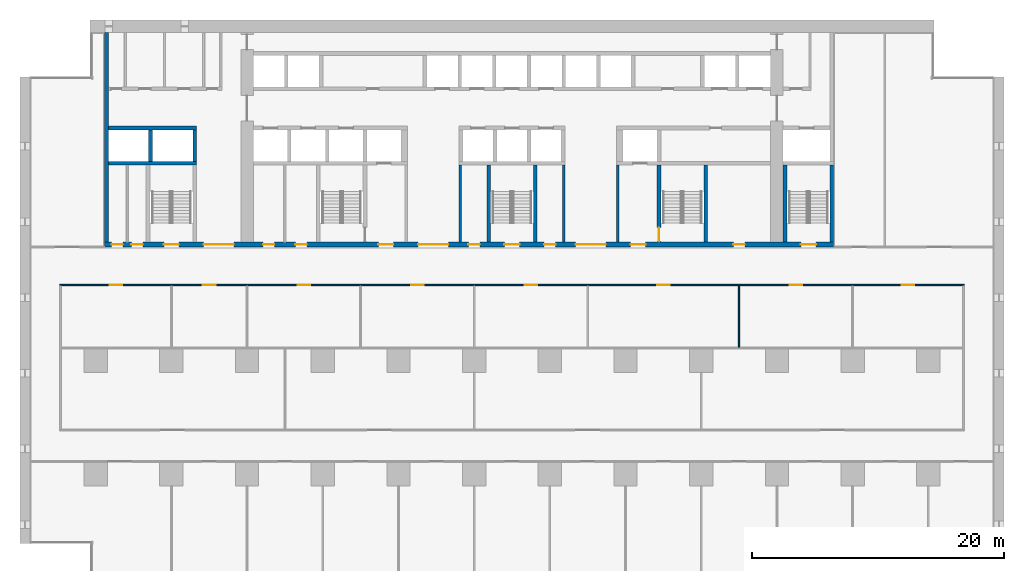
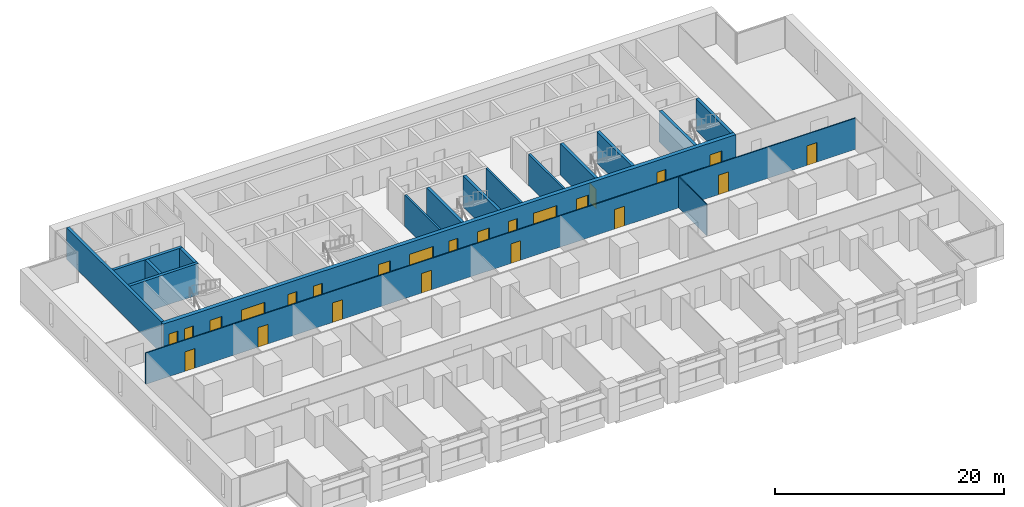
# One storey, part 10 of 18: 24 doors, 17 walls, 24 openings.
"""IFC4 building model written with IfcOpenShell, lengths in metres."""

from ifc_helpers import new_model, si_unit, direction, frame, frame_2d, origin, place, context, subcontext, project, spatial, rectangle, extrude, material, layer, layer_set, type_object, element, fill, save


model = new_model("IFC4")

# Units and contexts
model_context = context("Model", 3, precision=1e-05, world=origin(), true_north=direction((0.0, 1.0)))
body_context = subcontext(model_context, "Body", "Model", "MODEL_VIEW")
ifc_project = project(units=[si_unit("LENGTHUNIT", "METRE"), si_unit("AREAUNIT", "SQUARE_METRE"), si_unit("VOLUMEUNIT", "CUBIC_METRE"), si_unit("PLANEANGLEUNIT", "RADIAN"), si_unit("MASSUNIT", "GRAM", prefix="KILO")], contexts=[model_context])

# Site, building, storey
site_placement = place(None, origin())
site = spatial("IfcSite", under=ifc_project, at=site_placement, CompositionType="ELEMENT")
building_placement = place(site_placement, origin())
building = spatial("IfcBuilding", under=site, at=building_placement, Name="Calvaro Tower", CompositionType="ELEMENT")
storey_placement = place(building_placement, frame((0.0, 0.0, 26.25)))
storey = spatial("IfcBuildingStorey", under=building, at=storey_placement, Name="L05", CompositionType="ELEMENT", Elevation=26.25)

# Walls
ifc_material_1 = material(Name="Blockwork partition", Category="masonry")
ifc_layer_1 = layer(ifc_material_1, 0.199951171875)
ifc_layer_set_1 = layer_set([ifc_layer_1], Name="Blockwork partition")
wall_type_1 = type_object("IfcWallType", Name="Core partition 200 REI 120", PredefinedType="PARTITIONING", material=ifc_layer_set_1)
for number, where, z_axis, x_axis, name in (
    (1, (34.89990234375, 28.39990234375, 0.0), (0.0, 0.0, 1.0), (0.0, 1.0, 0.0), "Core partition"),
    (2, (43.10009765625, 28.39990234375, 0.0), (0.0, 0.0, 1.0), (0.0, 1.0, 0.0), "Core partition"),
    (3, (47.39990234375, 28.39990234375, 0.0), (0.0, 0.0, 1.0), (0.0, 1.0, 0.0), "Core partition"),
):
    element("IfcWall", number, at=place(storey_placement, frame(where, z_axis=z_axis, x_axis=x_axis)), inside=storey, type_object=wall_type_1, Name=name, PredefinedType="PARTITIONING", context=body_context, shape_type="SweptSolid", body=[
        extrude(rectangle(XDim=6.10009765625, YDim=0.199951171875, at=frame_2d((3.050048828125, 0.0))), origin(), (0.0, 0.0, 1.0), 3.35009765625),
    ])
ifc_material_2 = material(Name="Concrete C80/95", Category="concrete")
ifc_layer_2 = layer(ifc_material_2, 0.300048828125)
ifc_layer_set_2 = layer_set([ifc_layer_2], Name="Concrete C80/95")
wall_type_2 = type_object("IfcWallType", Name="Core wall C80/95 300", PredefinedType="SHEAR", material=ifc_layer_set_2)
wall_1_placement = place(storey_placement, frame((6.85009765625, 28.39990234375, 0.0), z_axis=(0.0, 0.0, 1.0), x_axis=(0.0, 1.0, 0.0)))
element("IfcWall", 4, at=wall_1_placement, inside=storey, type_object=wall_type_2, Name="Core wall, boundary", PredefinedType="SHEAR", context=body_context, shape_type="SweptSolid", body=[
    extrude(rectangle(XDim=16.60009765625, YDim=0.300048828125, at=frame_2d((8.300048828125, 0.0))), origin(), (0.0, 0.0, 1.0), 3.35009765625),
])
for number, where, z_axis, x_axis, name in (
    (5, (37.14990234375, 28.39990234375, 0.0), (0.0, 0.0, 1.0), (0.0, 1.0, 0.0), "Core wall, stair enclosure"),
    (6, (40.85009765625, 28.39990234375, 0.0), (0.0, 0.0, 1.0), (0.0, 1.0, 0.0), "Core wall, stair enclosure"),
):
    element("IfcWall", number, at=place(storey_placement, frame(where, z_axis=z_axis, x_axis=x_axis)), inside=storey, type_object=wall_type_2, Name=name, PredefinedType="SHEAR", context=body_context, shape_type="SweptSolid", body=[
        extrude(rectangle(XDim=6.10009765625, YDim=0.300048828125, at=frame_2d((3.050048828125, 0.0))), origin(), (0.0, 0.0, 1.0), 3.35009765625),
    ])

# Wall, opening, door
wall_2_placement = place(storey_placement, frame((50.64990234375, 34.5, 0.0), z_axis=(0.0, 0.0, 1.0), x_axis=(0.0, -1.0, 0.0)))
wall_2 = element("IfcWall", 7, at=wall_2_placement, inside=storey, type_object=wall_type_2, Name="Core wall, stair enclosure", PredefinedType="SHEAR", context=body_context, shape_type="SweptSolid", body=[
    extrude(rectangle(XDim=6.10009765625, YDim=0.300048828125, at=frame_2d((3.050048828125, 0.0))), origin(), (0.0, 0.0, 1.0), 3.35009765625),
])
opening_1_placement = place(wall_2_placement, frame((4.949951171875, 0.0, 0.0)))
opening_1 = element("IfcOpeningElement", 8, at=opening_1_placement, cuts=wall_2, Name="Opening FD11D", PredefinedType="OPENING", context=body_context, shape_type="SweptSolid", body=[
    extrude(rectangle(XDim=1.10009765625, YDim=2.10009765625, at=frame_2d((0.550048828125, 1.050048828125))), frame((0.0, 0.159912109375, 0.0), z_axis=(0.0, -1.0, 0.0), x_axis=(1.0, 0.0, 0.0)), (0.0, 0.0, 1.0), 0.320068359375),
])
ifc_material_3 = material(Name="Steel door set", Category="steel")
door_type_1 = type_object("IfcDoorType", Name="Fire door 1100 FD30S", OperationType="SINGLE_SWING_LEFT", PredefinedType="DOOR", material=ifc_material_3)
door_1_placement = place(opening_1_placement, origin())
door_1 = element("IfcDoor", 9, at=door_1_placement, inside=storey, type_object=door_type_1, Name="Fire door", OperationType="SINGLE_SWING_RIGHT", OverallHeight=2.10009765625, OverallWidth=1.10009765625, PredefinedType="DOOR", context=body_context, shape_type="SweptSolid", body=[
    extrude(rectangle(XDim=1.10009765625, YDim=2.10009765625, at=frame_2d((0.550048828125, 1.050048828125))), frame((0.0, 0.02490234375, 0.0), z_axis=(0.0, -1.0, 0.0), x_axis=(1.0, 0.0, 0.0)), (0.0, 0.0, 1.0), 0.050048828125),
])
fill(opening_1, door_1)

# Walls
for number, where, z_axis, x_axis, name in (
    (10, (54.35009765625, 28.39990234375, 0.0), (0.0, 0.0, 1.0), (0.0, 1.0, 0.0), "Core wall, stair enclosure"),
    (11, (60.64990234375, 28.39990234375, 0.0), (0.0, 0.0, 1.0), (0.0, 1.0, 0.0), "Core wall, stair enclosure"),
    (12, (64.35009765625, 28.39990234375, 0.0), (0.0, 0.0, 1.0), (0.0, 1.0, 0.0), "Core wall, stair enclosure"),
):
    element("IfcWall", number, at=place(storey_placement, frame(where, z_axis=z_axis, x_axis=x_axis)), inside=storey, type_object=wall_type_2, Name=name, PredefinedType="SHEAR", context=body_context, shape_type="SweptSolid", body=[
        extrude(rectangle(XDim=6.10009765625, YDim=0.300048828125, at=frame_2d((3.050048828125, 0.0))), origin(), (0.0, 0.0, 1.0), 3.35009765625),
    ])
for number, where, z_axis, x_axis, name in (
    (13, (7.0, 34.64990234375, 0.0), (0.0, 0.0, 1.0), (1.0, 0.0, 0.0), "Core wall, lift shaft"),
    (14, (7.0, 37.449951171875, 0.0), (0.0, 0.0, 1.0), (1.0, 0.0, 0.0), "Core wall, lift shaft"),
):
    element("IfcWall", number, at=place(storey_placement, frame(where, z_axis=z_axis, x_axis=x_axis)), inside=storey, type_object=wall_type_2, Name=name, PredefinedType="SHEAR", context=body_context, shape_type="SweptSolid", body=[
        extrude(rectangle(XDim=7.0, YDim=0.300048828125, at=frame_2d((3.5, 0.0))), origin(), (0.0, 0.0, 1.0), 3.35009765625),
    ])
for number, where, z_axis, x_axis, name in (
    (15, (13.85009765625, 34.800048828125, 0.0), (0.0, 0.0, 1.0), (0.0, 1.0, 0.0), "Core wall, lift shaft"),
    (16, (10.35009765625, 34.800048828125, 0.0), (0.0, 0.0, 1.0), (0.0, 1.0, 0.0), "Core wall, lift shaft"),
):
    element("IfcWall", number, at=place(storey_placement, frame(where, z_axis=z_axis, x_axis=x_axis)), inside=storey, type_object=wall_type_2, Name=name, PredefinedType="SHEAR", context=body_context, shape_type="SweptSolid", body=[
        extrude(rectangle(XDim=2.5, YDim=0.300048828125, at=frame_2d((1.25, 0.0))), origin(), (0.0, 0.0, 1.0), 3.35009765625),
    ])

# Wall, openings, doors
ifc_material_4 = material(Name="Concrete C80/95", Category="concrete")
ifc_layer_3 = layer(ifc_material_4, 0.39990234375)
ifc_layer_set_3 = layer_set([ifc_layer_3], Name="Concrete C80/95")
wall_type_3 = type_object("IfcWallType", Name="Core wall C80/95 400", PredefinedType="SHEAR", material=ifc_layer_set_3)
wall_3_placement = place(storey_placement, frame((6.699951171875, 28.199951171875, 0.0), z_axis=(0.0, 0.0, 1.0), x_axis=(1.0, 0.0, 0.0)))
wall_3 = element("IfcWall", 17, at=wall_3_placement, inside=storey, type_object=wall_type_3, Name="Core wall, front", PredefinedType="SHEAR", context=body_context, shape_type="SweptSolid", body=[
    extrude(rectangle(XDim=57.800048828125, YDim=0.39990234375, at=frame_2d((28.89990234375, 0.0))), origin(), (0.0, 0.0, 1.0), 3.35009765625),
])
opening_2_placement = place(wall_3_placement, frame((12.5625, 0.0, 0.0)))
opening_2 = element("IfcOpeningElement", 18, at=opening_2_placement, cuts=wall_3, Name="Opening RD9E", PredefinedType="OPENING", context=body_context, shape_type="SweptSolid", body=[
    extrude(rectangle(XDim=0.89990234375, YDim=2.10009765625, at=frame_2d((0.449951171875, 1.050048828125))), frame((0.0, 0.2099609375, 0.0), z_axis=(0.0, -1.0, 0.0), x_axis=(1.0, 0.0, 0.0)), (0.0, 0.0, 1.0), 0.419921875),
])
opening_3_placement = place(wall_3_placement, frame((15.137451171875, 0.0, 0.0)))
opening_3 = element("IfcOpeningElement", 19, at=opening_3_placement, cuts=wall_3, Name="Opening RD9C", PredefinedType="OPENING", context=body_context, shape_type="SweptSolid", body=[
    extrude(rectangle(XDim=0.89990234375, YDim=2.10009765625, at=frame_2d((0.449951171875, 1.050048828125))), frame((0.0, 0.2099609375, 0.0), z_axis=(0.0, -1.0, 0.0), x_axis=(1.0, 0.0, 0.0)), (0.0, 0.0, 1.0), 0.419921875),
])
opening_4_placement = place(wall_3_placement, frame((49.85009765625, 0.0, 0.0)))
opening_4 = element("IfcOpeningElement", 20, at=opening_4_placement, cuts=wall_3, Name="Opening RD9E", PredefinedType="OPENING", context=body_context, shape_type="SweptSolid", body=[
    extrude(rectangle(XDim=0.89990234375, YDim=2.10009765625, at=frame_2d((0.449951171875, 1.050048828125))), frame((0.0, 0.2099609375, 0.0), z_axis=(0.0, -1.0, 0.0), x_axis=(1.0, 0.0, 0.0)), (0.0, 0.0, 1.0), 0.419921875),
])
opening_5_placement = place(wall_3_placement, frame((0.5625, 0.0, 0.0)))
opening_5 = element("IfcOpeningElement", 21, at=opening_5_placement, cuts=wall_3, Name="Opening RD9C", PredefinedType="OPENING", context=body_context, shape_type="SweptSolid", body=[
    extrude(rectangle(XDim=0.89990234375, YDim=2.10009765625, at=frame_2d((0.449951171875, 1.050048828125))), frame((0.0, 0.2099609375, 0.0), z_axis=(0.0, -1.0, 0.0), x_axis=(1.0, 0.0, 0.0)), (0.0, 0.0, 1.0), 0.419921875),
])
opening_6_placement = place(wall_3_placement, frame((2.137451171875, 0.0, 0.0)))
opening_6 = element("IfcOpeningElement", 22, at=opening_6_placement, cuts=wall_3, Name="Opening RD9E", PredefinedType="OPENING", context=body_context, shape_type="SweptSolid", body=[
    extrude(rectangle(XDim=0.89990234375, YDim=2.10009765625, at=frame_2d((0.449951171875, 1.050048828125))), frame((0.0, 0.2099609375, 0.0), z_axis=(0.0, -1.0, 0.0), x_axis=(1.0, 0.0, 0.0)), (0.0, 0.0, 1.0), 0.419921875),
])
opening_7_placement = place(wall_3_placement, frame((4.699951171875, 0.0, 0.0)))
opening_7 = element("IfcOpeningElement", 23, at=opening_7_placement, cuts=wall_3, Name="Opening SD12D", PredefinedType="OPENING", context=body_context, shape_type="SweptSolid", body=[
    extrude(rectangle(XDim=1.199951171875, YDim=2.10009765625, at=frame_2d((0.60009765625, 1.050048828125))), frame((0.0, 0.2099609375, 0.0), z_axis=(0.0, -1.0, 0.0), x_axis=(1.0, 0.0, 0.0)), (0.0, 0.0, 1.0), 0.419921875),
])
opening_8_placement = place(wall_3_placement, frame((31.699951171875, 0.0, 0.0)))
opening_8 = element("IfcOpeningElement", 24, at=opening_8_placement, cuts=wall_3, Name="Opening SD12D", PredefinedType="OPENING", context=body_context, shape_type="SweptSolid", body=[
    extrude(rectangle(XDim=1.199951171875, YDim=2.10009765625, at=frame_2d((0.60009765625, 1.050048828125))), frame((0.0, 0.2099609375, 0.0), z_axis=(0.0, -1.0, 0.0), x_axis=(1.0, 0.0, 0.0)), (0.0, 0.0, 1.0), 0.419921875),
])
opening_9_placement = place(wall_3_placement, frame((55.199951171875, 0.0, 0.0)))
opening_9 = element("IfcOpeningElement", 25, at=opening_9_placement, cuts=wall_3, Name="Opening SD12D", PredefinedType="OPENING", context=body_context, shape_type="SweptSolid", body=[
    extrude(rectangle(XDim=1.199951171875, YDim=2.10009765625, at=frame_2d((0.60009765625, 1.050048828125))), frame((0.0, 0.2099609375, 0.0), z_axis=(0.0, -1.0, 0.0), x_axis=(1.0, 0.0, 0.0)), (0.0, 0.0, 1.0), 0.419921875),
])
opening_10_placement = place(wall_3_placement, frame((21.699951171875, 0.0, 0.0)))
opening_10 = element("IfcOpeningElement", 26, at=opening_10_placement, cuts=wall_3, Name="Opening FD12F", PredefinedType="OPENING", context=body_context, shape_type="SweptSolid", body=[
    extrude(rectangle(XDim=1.199951171875, YDim=2.10009765625, at=frame_2d((0.60009765625, 1.050048828125))), frame((0.0, 0.2099609375, 0.0), z_axis=(0.0, -1.0, 0.0), x_axis=(1.0, 0.0, 0.0)), (0.0, 0.0, 1.0), 0.419921875),
])
opening_11_placement = place(wall_3_placement, frame((41.699951171875, 0.0, 0.0)))
opening_11 = element("IfcOpeningElement", 27, at=opening_11_placement, cuts=wall_3, Name="Opening FD12F", PredefinedType="OPENING", context=body_context, shape_type="SweptSolid", body=[
    extrude(rectangle(XDim=1.199951171875, YDim=2.10009765625, at=frame_2d((0.60009765625, 1.050048828125))), frame((0.0, 0.2099609375, 0.0), z_axis=(0.0, -1.0, 0.0), x_axis=(1.0, 0.0, 0.0)), (0.0, 0.0, 1.0), 0.419921875),
])
opening_12_placement = place(wall_3_placement, frame((24.85009765625, 0.0, 0.0)))
opening_12 = element("IfcOpeningElement", 28, at=opening_12_placement, cuts=wall_3, Name="Opening DD24D", PredefinedType="OPENING", context=body_context, shape_type="SweptSolid", body=[
    extrude(rectangle(XDim=2.39990234375, YDim=2.10009765625, at=frame_2d((1.199951171875, 1.050048828125))), frame((0.0, 0.2099609375, 0.0), z_axis=(0.0, -1.0, 0.0), x_axis=(1.0, 0.0, 0.0)), (0.0, 0.0, 1.0), 0.419921875),
])
opening_13_placement = place(wall_3_placement, frame((37.35009765625, 0.0, 0.0)))
opening_13 = element("IfcOpeningElement", 29, at=opening_13_placement, cuts=wall_3, Name="Opening DD24D", PredefinedType="OPENING", context=body_context, shape_type="SweptSolid", body=[
    extrude(rectangle(XDim=2.39990234375, YDim=2.10009765625, at=frame_2d((1.199951171875, 1.050048828125))), frame((0.0, 0.2099609375, 0.0), z_axis=(0.0, -1.0, 0.0), x_axis=(1.0, 0.0, 0.0)), (0.0, 0.0, 1.0), 0.419921875),
])
opening_14_placement = place(wall_3_placement, frame((7.85009765625, 0.0, 0.0)))
opening_14 = element("IfcOpeningElement", 30, at=opening_14_placement, cuts=wall_3, Name="Opening DD24D", PredefinedType="OPENING", context=body_context, shape_type="SweptSolid", body=[
    extrude(rectangle(XDim=2.39990234375, YDim=2.10009765625, at=frame_2d((1.199951171875, 1.050048828125))), frame((0.0, 0.2099609375, 0.0), z_axis=(0.0, -1.0, 0.0), x_axis=(1.0, 0.0, 0.0)), (0.0, 0.0, 1.0), 0.419921875),
])
opening_15_placement = place(wall_3_placement, frame((28.85009765625, 0.0, 0.0)))
opening_15 = element("IfcOpeningElement", 31, at=opening_15_placement, cuts=wall_3, Name="Opening RD9E", PredefinedType="OPENING", context=body_context, shape_type="SweptSolid", body=[
    extrude(rectangle(XDim=0.89990234375, YDim=2.10009765625, at=frame_2d((0.449951171875, 1.050048828125))), frame((0.0, 0.2099609375, 0.0), z_axis=(0.0, -1.0, 0.0), x_axis=(1.0, 0.0, 0.0)), (0.0, 0.0, 1.0), 0.419921875),
])
opening_16_placement = place(wall_3_placement, frame((34.85009765625, 0.0, 0.0)))
opening_16 = element("IfcOpeningElement", 32, at=opening_16_placement, cuts=wall_3, Name="Opening RD9E", PredefinedType="OPENING", context=body_context, shape_type="SweptSolid", body=[
    extrude(rectangle(XDim=0.89990234375, YDim=2.10009765625, at=frame_2d((0.449951171875, 1.050048828125))), frame((0.0, 0.2099609375, 0.0), z_axis=(0.0, -1.0, 0.0), x_axis=(1.0, 0.0, 0.0)), (0.0, 0.0, 1.0), 0.419921875),
])
ifc_material_5 = material(Name="Steel door set", Category="steel")
door_type_2 = type_object("IfcDoorType", Name="Fire door 1200 FD60S", OperationType="SINGLE_SWING_LEFT", PredefinedType="DOOR", material=ifc_material_5)
door_2_placement = place(opening_10_placement, origin())
door_2 = element("IfcDoor", 33, at=door_2_placement, inside=storey, type_object=door_type_2, Name="Fire door", OperationType="SINGLE_SWING_LEFT", OverallHeight=2.10009765625, OverallWidth=1.199951171875, PredefinedType="DOOR", context=body_context, shape_type="SweptSolid", body=[
    extrude(rectangle(XDim=1.199951171875, YDim=2.10009765625, at=frame_2d((0.60009765625, 1.050048828125))), frame((0.0, 0.02490234375, 0.0), z_axis=(0.0, -1.0, 0.0), x_axis=(1.0, 0.0, 0.0)), (0.0, 0.0, 1.0), 0.050048828125),
])
fill(opening_10, door_2)
door_3_placement = place(opening_11_placement, origin())
door_3 = element("IfcDoor", 34, at=door_3_placement, inside=storey, type_object=door_type_2, Name="Fire door", OperationType="SINGLE_SWING_LEFT", OverallHeight=2.10009765625, OverallWidth=1.199951171875, PredefinedType="DOOR", context=body_context, shape_type="SweptSolid", body=[
    extrude(rectangle(XDim=1.199951171875, YDim=2.10009765625, at=frame_2d((0.60009765625, 1.050048828125))), frame((0.0, 0.02490234375, 0.0), z_axis=(0.0, -1.0, 0.0), x_axis=(1.0, 0.0, 0.0)), (0.0, 0.0, 1.0), 0.050048828125),
])
fill(opening_11, door_3)
ifc_material_6 = material(Name="Steel door set", Category="steel")
door_type_3 = type_object("IfcDoorType", Name="Lobby double door 2400 FD30S", OperationType="DOUBLE_DOOR_SINGLE_SWING", PredefinedType="DOOR", material=ifc_material_6)
door_4_placement = place(opening_12_placement, origin())
door_4 = element("IfcDoor", 35, at=door_4_placement, inside=storey, type_object=door_type_3, Name="Lobby double door", OperationType="DOUBLE_DOOR_SINGLE_SWING", OverallHeight=2.10009765625, OverallWidth=2.39990234375, PredefinedType="DOOR", context=body_context, shape_type="SweptSolid", body=[
    extrude(rectangle(XDim=2.39990234375, YDim=2.10009765625, at=frame_2d((1.199951171875, 1.050048828125))), frame((0.0, 0.02490234375, 0.0), z_axis=(0.0, -1.0, 0.0), x_axis=(1.0, 0.0, 0.0)), (0.0, 0.0, 1.0), 0.050048828125),
])
fill(opening_12, door_4)
door_5_placement = place(opening_13_placement, origin())
door_5 = element("IfcDoor", 36, at=door_5_placement, inside=storey, type_object=door_type_3, Name="Lobby double door", OperationType="DOUBLE_DOOR_SINGLE_SWING", OverallHeight=2.10009765625, OverallWidth=2.39990234375, PredefinedType="DOOR", context=body_context, shape_type="SweptSolid", body=[
    extrude(rectangle(XDim=2.39990234375, YDim=2.10009765625, at=frame_2d((1.199951171875, 1.050048828125))), frame((0.0, 0.02490234375, 0.0), z_axis=(0.0, -1.0, 0.0), x_axis=(1.0, 0.0, 0.0)), (0.0, 0.0, 1.0), 0.050048828125),
])
fill(opening_13, door_5)
door_6_placement = place(opening_14_placement, origin())
door_6 = element("IfcDoor", 37, at=door_6_placement, inside=storey, type_object=door_type_3, Name="Lobby double door", OperationType="DOUBLE_DOOR_SINGLE_SWING", OverallHeight=2.10009765625, OverallWidth=2.39990234375, PredefinedType="DOOR", context=body_context, shape_type="SweptSolid", body=[
    extrude(rectangle(XDim=2.39990234375, YDim=2.10009765625, at=frame_2d((1.199951171875, 1.050048828125))), frame((0.0, 0.02490234375, 0.0), z_axis=(0.0, -1.0, 0.0), x_axis=(1.0, 0.0, 0.0)), (0.0, 0.0, 1.0), 0.050048828125),
])
fill(opening_14, door_6)
ifc_material_7 = material(Name="Steel door set", Category="steel")
door_type_4 = type_object("IfcDoorType", Name="Room door 900 FD30", OperationType="SINGLE_SWING_LEFT", PredefinedType="DOOR", material=ifc_material_7)
door_7_placement = place(opening_3_placement, origin())
door_7 = element("IfcDoor", 38, at=door_7_placement, inside=storey, type_object=door_type_4, Name="Room door", OperationType="SINGLE_SWING_RIGHT", OverallHeight=2.10009765625, OverallWidth=0.89990234375, PredefinedType="DOOR", context=body_context, shape_type="SweptSolid", body=[
    extrude(rectangle(XDim=0.89990234375, YDim=2.10009765625, at=frame_2d((0.449951171875, 1.050048828125))), frame((0.0, 0.02490234375, 0.0), z_axis=(0.0, -1.0, 0.0), x_axis=(1.0, 0.0, 0.0)), (0.0, 0.0, 1.0), 0.050048828125),
])
fill(opening_3, door_7)
door_8_placement = place(opening_5_placement, origin())
door_8 = element("IfcDoor", 39, at=door_8_placement, inside=storey, type_object=door_type_4, Name="Room door", OperationType="SINGLE_SWING_LEFT", OverallHeight=2.10009765625, OverallWidth=0.89990234375, PredefinedType="DOOR", context=body_context, shape_type="SweptSolid", body=[
    extrude(rectangle(XDim=0.89990234375, YDim=2.10009765625, at=frame_2d((0.449951171875, 1.050048828125))), frame((0.0, 0.02490234375, 0.0), z_axis=(0.0, -1.0, 0.0), x_axis=(1.0, 0.0, 0.0)), (0.0, 0.0, 1.0), 0.050048828125),
])
fill(opening_5, door_8)
ifc_material_8 = material(Name="Steel door set", Category="steel")
door_type_5 = type_object("IfcDoorType", Name="Room door 900 FD60", OperationType="SINGLE_SWING_LEFT", PredefinedType="DOOR", material=ifc_material_8)
door_9_placement = place(opening_2_placement, origin())
door_9 = element("IfcDoor", 40, at=door_9_placement, inside=storey, type_object=door_type_5, Name="Room door", OperationType="SINGLE_SWING_LEFT", OverallHeight=2.10009765625, OverallWidth=0.89990234375, PredefinedType="DOOR", context=body_context, shape_type="SweptSolid", body=[
    extrude(rectangle(XDim=0.89990234375, YDim=2.10009765625, at=frame_2d((0.449951171875, 1.050048828125))), frame((0.0, 0.02490234375, 0.0), z_axis=(0.0, -1.0, 0.0), x_axis=(1.0, 0.0, 0.0)), (0.0, 0.0, 1.0), 0.050048828125),
])
fill(opening_2, door_9)
door_10_placement = place(opening_4_placement, origin())
door_10 = element("IfcDoor", 41, at=door_10_placement, inside=storey, type_object=door_type_5, Name="Room door", OperationType="SINGLE_SWING_LEFT", OverallHeight=2.10009765625, OverallWidth=0.89990234375, PredefinedType="DOOR", context=body_context, shape_type="SweptSolid", body=[
    extrude(rectangle(XDim=0.89990234375, YDim=2.10009765625, at=frame_2d((0.449951171875, 1.050048828125))), frame((0.0, 0.02490234375, 0.0), z_axis=(0.0, -1.0, 0.0), x_axis=(1.0, 0.0, 0.0)), (0.0, 0.0, 1.0), 0.050048828125),
])
fill(opening_4, door_10)
door_11_placement = place(opening_6_placement, origin())
door_11 = element("IfcDoor", 42, at=door_11_placement, inside=storey, type_object=door_type_5, Name="Room door", OperationType="SINGLE_SWING_LEFT", OverallHeight=2.10009765625, OverallWidth=0.89990234375, PredefinedType="DOOR", context=body_context, shape_type="SweptSolid", body=[
    extrude(rectangle(XDim=0.89990234375, YDim=2.10009765625, at=frame_2d((0.449951171875, 1.050048828125))), frame((0.0, 0.02490234375, 0.0), z_axis=(0.0, -1.0, 0.0), x_axis=(1.0, 0.0, 0.0)), (0.0, 0.0, 1.0), 0.050048828125),
])
fill(opening_6, door_11)
door_12_placement = place(opening_15_placement, origin())
door_12 = element("IfcDoor", 43, at=door_12_placement, inside=storey, type_object=door_type_5, Name="Room door", OperationType="SINGLE_SWING_LEFT", OverallHeight=2.10009765625, OverallWidth=0.89990234375, PredefinedType="DOOR", context=body_context, shape_type="SweptSolid", body=[
    extrude(rectangle(XDim=0.89990234375, YDim=2.10009765625, at=frame_2d((0.449951171875, 1.050048828125))), frame((0.0, 0.02490234375, 0.0), z_axis=(0.0, -1.0, 0.0), x_axis=(1.0, 0.0, 0.0)), (0.0, 0.0, 1.0), 0.050048828125),
])
fill(opening_15, door_12)
door_13_placement = place(opening_16_placement, origin())
door_13 = element("IfcDoor", 44, at=door_13_placement, inside=storey, type_object=door_type_5, Name="Room door", OperationType="SINGLE_SWING_LEFT", OverallHeight=2.10009765625, OverallWidth=0.89990234375, PredefinedType="DOOR", context=body_context, shape_type="SweptSolid", body=[
    extrude(rectangle(XDim=0.89990234375, YDim=2.10009765625, at=frame_2d((0.449951171875, 1.050048828125))), frame((0.0, 0.02490234375, 0.0), z_axis=(0.0, -1.0, 0.0), x_axis=(1.0, 0.0, 0.0)), (0.0, 0.0, 1.0), 0.050048828125),
])
fill(opening_16, door_13)
ifc_material_9 = material(Name="Steel door set", Category="steel")
door_type_6 = type_object("IfcDoorType", Name="Stair door 1200 FD30S", OperationType="SINGLE_SWING_LEFT", PredefinedType="DOOR", material=ifc_material_9)
door_14_placement = place(opening_7_placement, origin())
door_14 = element("IfcDoor", 45, at=door_14_placement, inside=storey, type_object=door_type_6, Name="Stair door", OperationType="SINGLE_SWING_LEFT", OverallHeight=2.10009765625, OverallWidth=1.199951171875, PredefinedType="DOOR", context=body_context, shape_type="SweptSolid", body=[
    extrude(rectangle(XDim=1.199951171875, YDim=2.10009765625, at=frame_2d((0.60009765625, 1.050048828125))), frame((0.0, 0.02490234375, 0.0), z_axis=(0.0, -1.0, 0.0), x_axis=(1.0, 0.0, 0.0)), (0.0, 0.0, 1.0), 0.050048828125),
])
fill(opening_7, door_14)
door_15_placement = place(opening_8_placement, origin())
door_15 = element("IfcDoor", 46, at=door_15_placement, inside=storey, type_object=door_type_6, Name="Stair door", OperationType="SINGLE_SWING_LEFT", OverallHeight=2.10009765625, OverallWidth=1.199951171875, PredefinedType="DOOR", context=body_context, shape_type="SweptSolid", body=[
    extrude(rectangle(XDim=1.199951171875, YDim=2.10009765625, at=frame_2d((0.60009765625, 1.050048828125))), frame((0.0, 0.02490234375, 0.0), z_axis=(0.0, -1.0, 0.0), x_axis=(1.0, 0.0, 0.0)), (0.0, 0.0, 1.0), 0.050048828125),
])
fill(opening_8, door_15)
door_16_placement = place(opening_9_placement, origin())
door_16 = element("IfcDoor", 47, at=door_16_placement, inside=storey, type_object=door_type_6, Name="Stair door", OperationType="SINGLE_SWING_LEFT", OverallHeight=2.10009765625, OverallWidth=1.199951171875, PredefinedType="DOOR", context=body_context, shape_type="SweptSolid", body=[
    extrude(rectangle(XDim=1.199951171875, YDim=2.10009765625, at=frame_2d((0.60009765625, 1.050048828125))), frame((0.0, 0.02490234375, 0.0), z_axis=(0.0, -1.0, 0.0), x_axis=(1.0, 0.0, 0.0)), (0.0, 0.0, 1.0), 0.050048828125),
])
fill(opening_9, door_16)

ifc_material_10 = material(Name="Plasterboard on steel studs", Category="steel")
ifc_layer_4 = layer(ifc_material_10, 0.10009765625)
ifc_layer_set_4 = layer_set([ifc_layer_4], Name="Plasterboard on steel studs")
wall_type_4 = type_object("IfcWallType", Name="Partition 100", PredefinedType="PARTITIONING", material=ifc_layer_set_4)
wall_4_placement = place(storey_placement, frame((3.14990234375, 25.0, 0.0), z_axis=(0.0, 0.0, 1.0), x_axis=(1.0, 0.0, 0.0)))
wall_4 = element("IfcWall", 48, at=wall_4_placement, inside=storey, type_object=wall_type_4, Name="Partition T07.W004", PredefinedType="PARTITIONING", context=body_context, shape_type="SweptSolid", body=[
    extrude(rectangle(XDim=71.7001953125, YDim=0.10009765625, at=frame_2d((35.85009765625, 0.0))), origin(), (0.0, 0.0, 1.0), 3.35009765625),
])
opening_17_placement = place(wall_4_placement, frame((3.949951171875, 0.0, 0.0)))
opening_17 = element("IfcOpeningElement", 49, at=opening_17_placement, cuts=wall_4, Name="Opening T07.017", PredefinedType="OPENING", context=body_context, shape_type="SweptSolid", body=[
    extrude(rectangle(XDim=1.0, YDim=2.10009765625, at=frame_2d((0.5, 1.050048828125))), frame((0.0, 0.06005859375, 0.0), z_axis=(0.0, -1.0, 0.0), x_axis=(1.0, 0.0, 0.0)), (0.0, 0.0, 1.0), 0.1201171875),
])
opening_18_placement = place(wall_4_placement, frame((11.35009765625, 0.0, 0.0)))
opening_18 = element("IfcOpeningElement", 50, at=opening_18_placement, cuts=wall_4, Name="Opening T07.018", PredefinedType="OPENING", context=body_context, shape_type="SweptSolid", body=[
    extrude(rectangle(XDim=1.0, YDim=2.10009765625, at=frame_2d((0.5, 1.050048828125))), frame((0.0, 0.06005859375, 0.0), z_axis=(0.0, -1.0, 0.0), x_axis=(1.0, 0.0, 0.0)), (0.0, 0.0, 1.0), 0.1201171875),
])
opening_19_placement = place(wall_4_placement, frame((18.85009765625, 0.0, 0.0)))
opening_19 = element("IfcOpeningElement", 51, at=opening_19_placement, cuts=wall_4, Name="Opening T07.019", PredefinedType="OPENING", context=body_context, shape_type="SweptSolid", body=[
    extrude(rectangle(XDim=1.0, YDim=2.10009765625, at=frame_2d((0.5, 1.050048828125))), frame((0.0, 0.06005859375, 0.0), z_axis=(0.0, -1.0, 0.0), x_axis=(1.0, 0.0, 0.0)), (0.0, 0.0, 1.0), 0.1201171875),
])
opening_20_placement = place(wall_4_placement, frame((27.85009765625, 0.0, 0.0)))
opening_20 = element("IfcOpeningElement", 52, at=opening_20_placement, cuts=wall_4, Name="Opening T07.020", PredefinedType="OPENING", context=body_context, shape_type="SweptSolid", body=[
    extrude(rectangle(XDim=1.0, YDim=2.10009765625, at=frame_2d((0.5, 1.050048828125))), frame((0.0, 0.06005859375, 0.0), z_axis=(0.0, -1.0, 0.0), x_axis=(1.0, 0.0, 0.0)), (0.0, 0.0, 1.0), 0.1201171875),
])
opening_21_placement = place(wall_4_placement, frame((36.85009765625, 0.0, 0.0)))
opening_21 = element("IfcOpeningElement", 53, at=opening_21_placement, cuts=wall_4, Name="Opening T07.021", PredefinedType="OPENING", context=body_context, shape_type="SweptSolid", body=[
    extrude(rectangle(XDim=1.0, YDim=2.10009765625, at=frame_2d((0.5, 1.050048828125))), frame((0.0, 0.06005859375, 0.0), z_axis=(0.0, -1.0, 0.0), x_axis=(1.0, 0.0, 0.0)), (0.0, 0.0, 1.0), 0.1201171875),
])
opening_22_placement = place(wall_4_placement, frame((47.35009765625, 0.0, 0.0)))
opening_22 = element("IfcOpeningElement", 54, at=opening_22_placement, cuts=wall_4, Name="Opening T07.022", PredefinedType="OPENING", context=body_context, shape_type="SweptSolid", body=[
    extrude(rectangle(XDim=1.0, YDim=2.10009765625, at=frame_2d((0.5, 1.050048828125))), frame((0.0, 0.06005859375, 0.0), z_axis=(0.0, -1.0, 0.0), x_axis=(1.0, 0.0, 0.0)), (0.0, 0.0, 1.0), 0.1201171875),
])
opening_23_placement = place(wall_4_placement, frame((57.85009765625, 0.0, 0.0)))
opening_23 = element("IfcOpeningElement", 55, at=opening_23_placement, cuts=wall_4, Name="Opening T07.023", PredefinedType="OPENING", context=body_context, shape_type="SweptSolid", body=[
    extrude(rectangle(XDim=1.0, YDim=2.10009765625, at=frame_2d((0.5, 1.050048828125))), frame((0.0, 0.06005859375, 0.0), z_axis=(0.0, -1.0, 0.0), x_axis=(1.0, 0.0, 0.0)), (0.0, 0.0, 1.0), 0.1201171875),
])
opening_24_placement = place(wall_4_placement, frame((66.75, 0.0, 0.0)))
opening_24 = element("IfcOpeningElement", 56, at=opening_24_placement, cuts=wall_4, Name="Opening T07.024", PredefinedType="OPENING", context=body_context, shape_type="SweptSolid", body=[
    extrude(rectangle(XDim=1.0, YDim=2.10009765625, at=frame_2d((0.5, 1.050048828125))), frame((0.0, 0.06005859375, 0.0), z_axis=(0.0, -1.0, 0.0), x_axis=(1.0, 0.0, 0.0)), (0.0, 0.0, 1.0), 0.1201171875),
])
ifc_material_11 = material(Name="Timber", Category="wood")
door_type_7 = type_object("IfcDoorType", Name="Internal single door 1000 x 2100", OperationType="SINGLE_SWING_LEFT", PredefinedType="DOOR", material=ifc_material_11)
door_17_placement = place(opening_17_placement, origin())
door_17 = element("IfcDoor", 57, at=door_17_placement, inside=storey, type_object=door_type_7, Name="Door T07.017", OperationType="SINGLE_SWING_LEFT", OverallHeight=2.10009765625, OverallWidth=1.0, PredefinedType="DOOR", context=body_context, shape_type="SweptSolid", body=[
    extrude(rectangle(XDim=1.0, YDim=2.10009765625, at=frame_2d((0.5, 1.050048828125))), frame((0.0, 0.02490234375, 0.0), z_axis=(0.0, -1.0, 0.0), x_axis=(1.0, 0.0, 0.0)), (0.0, 0.0, 1.0), 0.050048828125),
])
fill(opening_17, door_17)
door_18_placement = place(opening_18_placement, origin())
door_18 = element("IfcDoor", 58, at=door_18_placement, inside=storey, type_object=door_type_7, Name="Door T07.018", OperationType="SINGLE_SWING_LEFT", OverallHeight=2.10009765625, OverallWidth=1.0, PredefinedType="DOOR", context=body_context, shape_type="SweptSolid", body=[
    extrude(rectangle(XDim=1.0, YDim=2.10009765625, at=frame_2d((0.5, 1.050048828125))), frame((0.0, 0.02490234375, 0.0), z_axis=(0.0, -1.0, 0.0), x_axis=(1.0, 0.0, 0.0)), (0.0, 0.0, 1.0), 0.050048828125),
])
fill(opening_18, door_18)
door_19_placement = place(opening_19_placement, origin())
door_19 = element("IfcDoor", 59, at=door_19_placement, inside=storey, type_object=door_type_7, Name="Door T07.019", OperationType="SINGLE_SWING_LEFT", OverallHeight=2.10009765625, OverallWidth=1.0, PredefinedType="DOOR", context=body_context, shape_type="SweptSolid", body=[
    extrude(rectangle(XDim=1.0, YDim=2.10009765625, at=frame_2d((0.5, 1.050048828125))), frame((0.0, 0.02490234375, 0.0), z_axis=(0.0, -1.0, 0.0), x_axis=(1.0, 0.0, 0.0)), (0.0, 0.0, 1.0), 0.050048828125),
])
fill(opening_19, door_19)
door_20_placement = place(opening_20_placement, origin())
door_20 = element("IfcDoor", 60, at=door_20_placement, inside=storey, type_object=door_type_7, Name="Door T07.020", OperationType="SINGLE_SWING_LEFT", OverallHeight=2.10009765625, OverallWidth=1.0, PredefinedType="DOOR", context=body_context, shape_type="SweptSolid", body=[
    extrude(rectangle(XDim=1.0, YDim=2.10009765625, at=frame_2d((0.5, 1.050048828125))), frame((0.0, 0.02490234375, 0.0), z_axis=(0.0, -1.0, 0.0), x_axis=(1.0, 0.0, 0.0)), (0.0, 0.0, 1.0), 0.050048828125),
])
fill(opening_20, door_20)
door_21_placement = place(opening_21_placement, origin())
door_21 = element("IfcDoor", 61, at=door_21_placement, inside=storey, type_object=door_type_7, Name="Door T07.021", OperationType="SINGLE_SWING_RIGHT", OverallHeight=2.10009765625, OverallWidth=1.0, PredefinedType="DOOR", context=body_context, shape_type="SweptSolid", body=[
    extrude(rectangle(XDim=1.0, YDim=2.10009765625, at=frame_2d((0.5, 1.050048828125))), frame((0.0, 0.02490234375, 0.0), z_axis=(0.0, -1.0, 0.0), x_axis=(1.0, 0.0, 0.0)), (0.0, 0.0, 1.0), 0.050048828125),
])
fill(opening_21, door_21)
door_22_placement = place(opening_22_placement, origin())
door_22 = element("IfcDoor", 62, at=door_22_placement, inside=storey, type_object=door_type_7, Name="Door T07.022", OperationType="SINGLE_SWING_RIGHT", OverallHeight=2.10009765625, OverallWidth=1.0, PredefinedType="DOOR", context=body_context, shape_type="SweptSolid", body=[
    extrude(rectangle(XDim=1.0, YDim=2.10009765625, at=frame_2d((0.5, 1.050048828125))), frame((0.0, 0.02490234375, 0.0), z_axis=(0.0, -1.0, 0.0), x_axis=(1.0, 0.0, 0.0)), (0.0, 0.0, 1.0), 0.050048828125),
])
fill(opening_22, door_22)
door_23_placement = place(opening_23_placement, origin())
door_23 = element("IfcDoor", 63, at=door_23_placement, inside=storey, type_object=door_type_7, Name="Door T07.023", OperationType="SINGLE_SWING_RIGHT", OverallHeight=2.10009765625, OverallWidth=1.0, PredefinedType="DOOR", context=body_context, shape_type="SweptSolid", body=[
    extrude(rectangle(XDim=1.0, YDim=2.10009765625, at=frame_2d((0.5, 1.050048828125))), frame((0.0, 0.02490234375, 0.0), z_axis=(0.0, -1.0, 0.0), x_axis=(1.0, 0.0, 0.0)), (0.0, 0.0, 1.0), 0.050048828125),
])
fill(opening_23, door_23)
door_24_placement = place(opening_24_placement, origin())
door_24 = element("IfcDoor", 64, at=door_24_placement, inside=storey, type_object=door_type_7, Name="Door T07.024", OperationType="SINGLE_SWING_RIGHT", OverallHeight=2.10009765625, OverallWidth=1.0, PredefinedType="DOOR", context=body_context, shape_type="SweptSolid", body=[
    extrude(rectangle(XDim=1.0, YDim=2.10009765625, at=frame_2d((0.5, 1.050048828125))), frame((0.0, 0.02490234375, 0.0), z_axis=(0.0, -1.0, 0.0), x_axis=(1.0, 0.0, 0.0)), (0.0, 0.0, 1.0), 0.050048828125),
])
fill(opening_24, door_24)

# Wall
wall_5_placement = place(storey_placement, frame((57.0, 20.050048828125, 0.0), z_axis=(0.0, 0.0, 1.0), x_axis=(0.0, 1.0, 0.0)))
element("IfcWall", 65, at=wall_5_placement, inside=storey, type_object=wall_type_4, Name="Partition T07.W024", PredefinedType="PARTITIONING", context=body_context, shape_type="SweptSolid", body=[
    extrude(rectangle(XDim=4.89990234375, YDim=0.10009765625, at=frame_2d((2.449951171875, 0.0))), origin(), (0.0, 0.0, 1.0), 3.35009765625),
])

save(model, "model.ifc")
